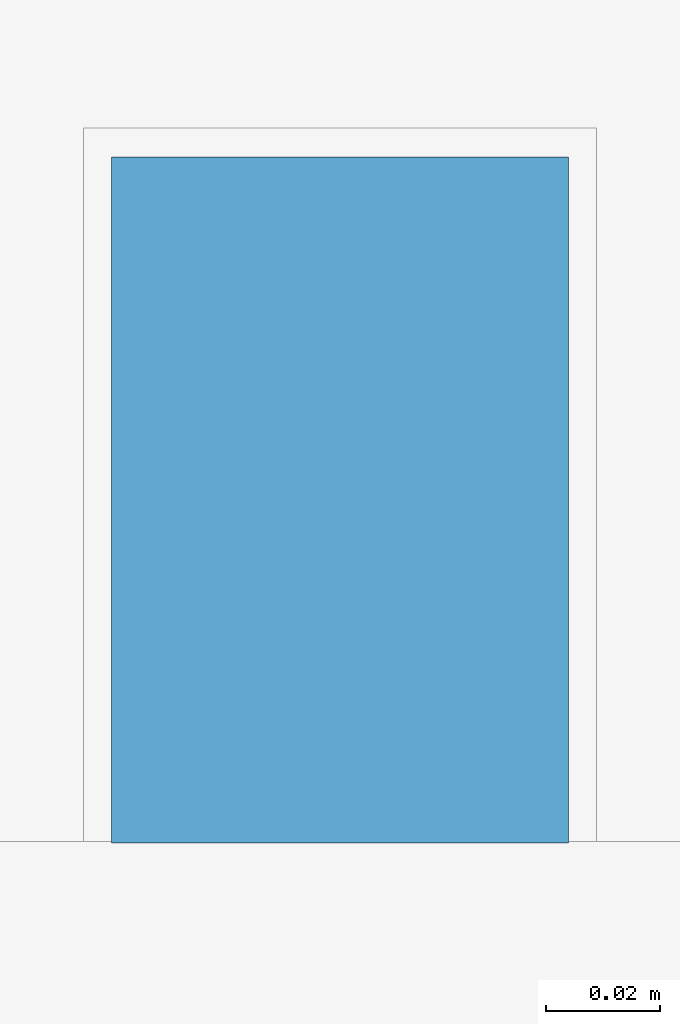
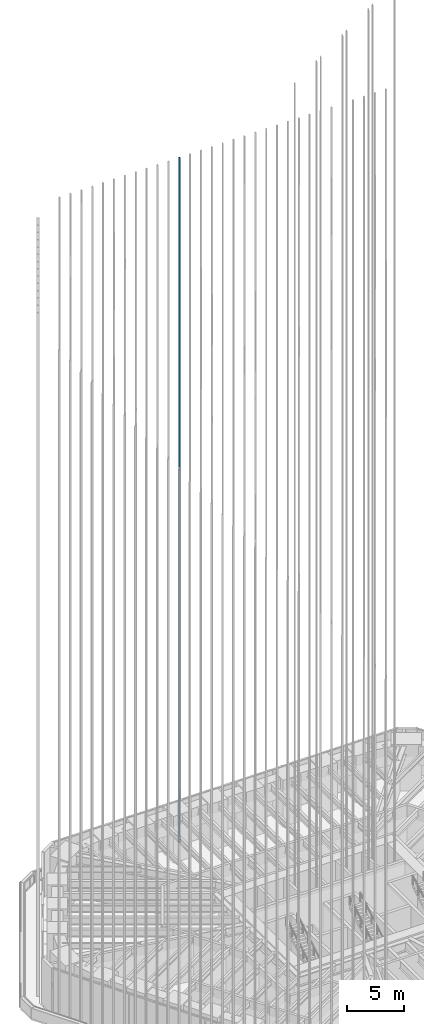
# One storey, part 169 of 228: 1 member, 1 element without a shape of its own.
"""IFC4 building model written with IfcOpenShell, lengths in metres."""

from ifc_helpers import new_model, si_unit, direction, frame, origin, origin_2d, place, context, subcontext, project, spatial, rectangle, extrude, material, material_profile, profile_set, type_object, element, aggregate, save


model = new_model("IFC4")

# Units and contexts
model_context = context("Model", 3, precision=1e-05, world=origin(), true_north=direction((0.0, 1.0)))
body_context = subcontext(model_context, "Body", "Model", "MODEL_VIEW")
ifc_project = project(units=[si_unit("LENGTHUNIT", "METRE"), si_unit("AREAUNIT", "SQUARE_METRE"), si_unit("VOLUMEUNIT", "CUBIC_METRE"), si_unit("PLANEANGLEUNIT", "RADIAN"), si_unit("MASSUNIT", "GRAM", prefix="KILO")], contexts=[model_context])

# Site, building, storey
site_placement = place(None, origin())
site = spatial("IfcSite", under=ifc_project, at=site_placement, CompositionType="ELEMENT")
building_placement = place(site_placement, origin())
building = spatial("IfcBuilding", under=site, at=building_placement, Name="Sandreach Pilgrim Tower", CompositionType="ELEMENT")
storey_placement = place(building_placement, frame((0.0, 0.0, 178.199951171875)))
storey = spatial("IfcBuildingStorey", under=building, at=storey_placement, Name="L44", CompositionType="ELEMENT", Elevation=178.199951171875)

# Curtain wall, member
ifc_material_1 = material(Name="Aluminium framed curtain wall", Category="aluminium")
curtain_wall_type = type_object("IfcCurtainWallType", Name="Upper hotel tower curtain wall", PredefinedType="NOTDEFINED", material=ifc_material_1)
curtain_wall_placement = place(storey_placement, origin())
curtain_wall = element("IfcCurtainWall", 1, at=curtain_wall_placement, inside=storey, type_object=curtain_wall_type, Name="CW-3 L44 N", PredefinedType="NOTDEFINED")
ifc_material_2 = material(Name="Extruded terracotta on aluminium core", Category="masonry")
ifc_material_profile = material_profile(ifc_material_2, rectangle(XDim=0.080078125, YDim=0.1201171875, at=origin_2d()), Name="TBN 80X120")
ifc_profile_set = profile_set([ifc_material_profile], Name="Extruded terracotta on aluminium core")
member_type = type_object("IfcMemberType", Name="Terracotta baguette north", PredefinedType="USERDEFINED", material=ifc_profile_set)
member_placement = place(storey_placement, frame((-4.3994140625, 21.52001953125, 0.0), z_axis=(0.0, 0.0, 1.0), x_axis=(1.0, 0.0, 0.0)))
member = element("IfcMember", 2, at=member_placement, type_object=member_type, Name="Baguette Z3 N12", ObjectType="BAGUETTE", PredefinedType="USERDEFINED", context=body_context, shape_type="SweptSolid", body=[
    extrude(rectangle(XDim=0.080078125, YDim=0.1201171875, at=origin_2d()), origin(), (0.0, 0.0, 1.0), 73.239990234375),
])
aggregate(curtain_wall, [member])

save(model, "model.ifc")
